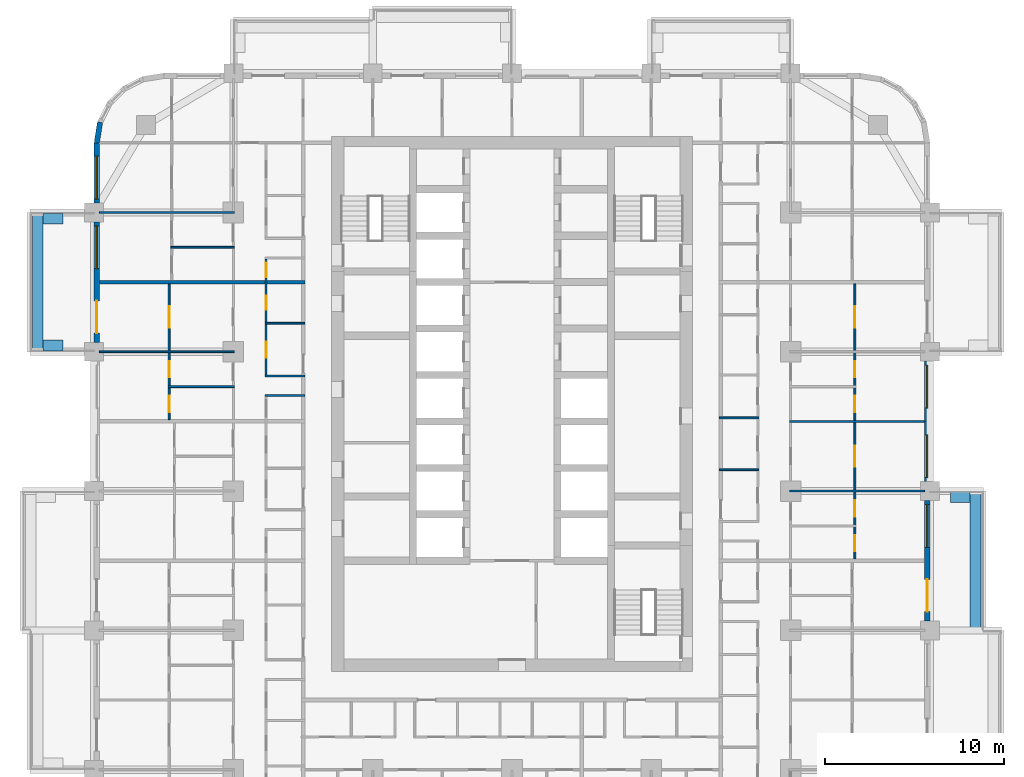
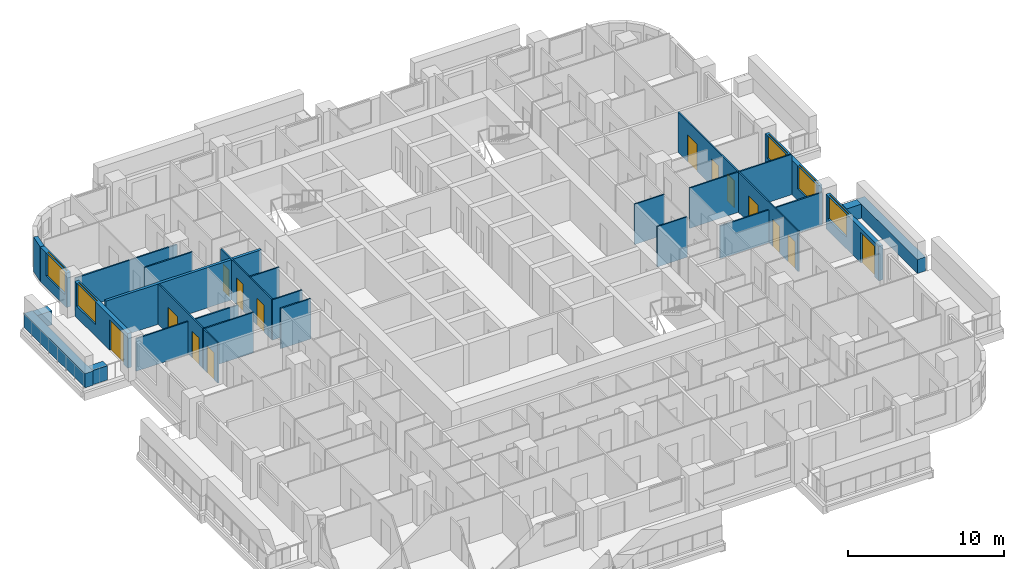
# One storey, part 9 of 17: 25 walls, 14 doors, 5 windows, 19 openings.
"""IFC4 building model written with IfcOpenShell, lengths in metres."""

from ifc_helpers import new_model, si_unit, direction, frame, frame_2d, origin, place, context, subcontext, project, spatial, rectangle, extrude, material, layer, layer_set, type_object, element, fill, save


model = new_model("IFC4")

# Units and contexts
model_context = context("Model", 3, precision=1e-05, world=origin(), true_north=direction((0.0, 1.0)))
body_context = subcontext(model_context, "Body", "Model", "MODEL_VIEW")
ifc_project = project(units=[si_unit("LENGTHUNIT", "METRE"), si_unit("AREAUNIT", "SQUARE_METRE"), si_unit("VOLUMEUNIT", "CUBIC_METRE"), si_unit("PLANEANGLEUNIT", "RADIAN"), si_unit("MASSUNIT", "GRAM", prefix="KILO")], contexts=[model_context])

# Site, building, storey
site_placement = place(None, origin())
site = spatial("IfcSite", under=ifc_project, at=site_placement, CompositionType="ELEMENT")
building_placement = place(site_placement, origin())
building = spatial("IfcBuilding", under=site, at=building_placement, Name="Ludao Terraces", CompositionType="ELEMENT")
storey_placement = place(building_placement, frame((0.0, 0.0, 19.5)))
storey = spatial("IfcBuildingStorey", under=building, at=storey_placement, Name="L04", CompositionType="ELEMENT", Elevation=19.5)

# Walls
ifc_material_1 = material(Name="Concrete C40", Category="concrete")
ifc_layer_1 = layer(ifc_material_1, 0.60009765625)
ifc_layer_set_1 = layer_set([ifc_layer_1], Name="ENV Planter trough 600")
wall_type_1 = type_object("IfcWallType", Name="ENV Planter trough 600", PredefinedType="USERDEFINED", material=ifc_layer_set_1)
wall_1_placement = place(storey_placement, frame((110.949951171875, 57.199951171875, 0.0), z_axis=(0.0, 0.0, 1.0), x_axis=(0.0, 1.0, 0.0)))
element("IfcWall", 1, at=wall_1_placement, inside=storey, type_object=wall_type_1, Name="PL-L04-E2", ObjectType="PLANTER", PredefinedType="USERDEFINED", context=body_context, shape_type="SweptSolid", body=[
    extrude(rectangle(XDim=7.800048828125, YDim=0.60009765625, at=frame_2d((3.89990234375, 0.0))), origin(), (0.0, 0.0, 1.0), 1.10009765625),
])
wall_2_placement = place(storey_placement, frame((110.64990234375, 64.64990234375, 0.0), z_axis=(0.0, 0.0, 1.0), x_axis=(-1.0, 0.0, 0.0)))
element("IfcWall", 2, at=wall_2_placement, inside=storey, type_object=wall_type_1, Name="PL-L04-E2-SB", ObjectType="PLANTER", PredefinedType="USERDEFINED", context=body_context, shape_type="SweptSolid", body=[
    extrude(rectangle(XDim=1.099853515625, YDim=0.60009765625, at=frame_2d((0.5498046875, 0.0))), origin(), (0.0, 0.0, 1.0), 1.10009765625),
])
wall_3_placement = place(storey_placement, frame((58.449951171875, 72.800048828125, 0.0), z_axis=(0.0, 0.0, 1.0), x_axis=(0.0, 1.0, 0.0)))
element("IfcWall", 3, at=wall_3_placement, inside=storey, type_object=wall_type_1, Name="PL-L04-W4", ObjectType="PLANTER", PredefinedType="USERDEFINED", context=body_context, shape_type="SweptSolid", body=[
    extrude(rectangle(XDim=7.800048828125, YDim=0.60009765625, at=frame_2d((3.89990234375, 0.0))), origin(), (0.0, 0.0, 1.0), 1.10009765625),
])
for number, where, z_axis, x_axis, name in (
    (4, (58.75, 73.14990234375, 0.0), (0.0, 0.0, 1.0), (1.0, 0.0, 0.0), "PL-L04-W4-SA"),
    (5, (58.75, 80.25, 0.0), (0.0, 0.0, 1.0), (1.0, 0.0, 0.0), "PL-L04-W4-SB"),
):
    element("IfcWall", number, at=place(storey_placement, frame(where, z_axis=z_axis, x_axis=x_axis)), inside=storey, type_object=wall_type_1, Name=name, ObjectType="PLANTER", PredefinedType="USERDEFINED", context=body_context, shape_type="SweptSolid", body=[
        extrude(rectangle(XDim=1.10009765625, YDim=0.60009765625, at=frame_2d((0.550048828125, 0.0))), origin(), (0.0, 0.0, 1.0), 1.10009765625),
    ])

# Wall, openings, door, window
ifc_material_2 = material(Name="Granite cladding", Category="masonry")
ifc_layer_2 = layer(ifc_material_2, 0.0400390625, Category="stone")
ifc_material_3 = material(Name="Mineral wool")
ifc_layer_3 = layer(ifc_material_3, 0.06005859375)
ifc_layer_4 = layer(ifc_material_1, 0.199951171875, Category="concrete")
ifc_layer_set_2 = layer_set([ifc_layer_2, ifc_layer_3, ifc_layer_4], Name="ENV Stone-clad wall 300")
wall_type_2 = type_object("IfcWallType", Name="ENV Stone-clad wall 300", PredefinedType="SOLIDWALL", material=ifc_layer_set_2)
wall_4_placement = place(storey_placement, frame((108.25, 57.72509765625, 0.0), z_axis=(0.0, 0.0, 1.0), x_axis=(0.0, 1.0, 0.0)))
wall_4 = element("IfcWall", 6, at=wall_4_placement, inside=storey, type_object=wall_type_2, Name="EW-L04-E3", PredefinedType="SOLIDWALL", context=body_context, shape_type="SweptSolid", body=[
    extrude(rectangle(XDim=6.75, YDim=0.300048828125, at=frame_2d((3.375, 0.0))), origin(), (0.0, 0.0, 1.0), 2.699951171875),
])
opening_1_placement = place(wall_4_placement, frame((0.52490234375, 0.0, 0.0)))
opening_1 = element("IfcOpeningElement", 7, at=opening_1_placement, cuts=wall_4, Name="Opening BD", PredefinedType="OPENING", context=body_context, shape_type="SweptSolid", body=[
    extrude(rectangle(XDim=1.800048828125, YDim=2.39990234375, at=frame_2d((0.89990234375, 1.199951171875))), frame((0.0, 0.16015625, 0.0), z_axis=(0.0, -1.0, 0.0), x_axis=(1.0, 0.0, 0.0)), (0.0, 0.0, 1.0), 0.320068359375),
])
opening_2_placement = place(wall_4_placement, frame((4.125, 0.0, 0.89990234375)))
opening_2 = element("IfcOpeningElement", 8, at=opening_2_placement, cuts=wall_4, Name="Opening W1", PredefinedType="OPENING", context=body_context, shape_type="SweptSolid", body=[
    extrude(rectangle(XDim=2.39990234375, YDim=1.800048828125, at=frame_2d((1.199951171875, 0.89990234375))), frame((0.0, 0.16015625, 0.0), z_axis=(0.0, -1.0, 0.0), x_axis=(1.0, 0.0, 0.0)), (0.0, 0.0, 1.0), 0.320068359375),
])
ifc_material_4 = material(Name="Aluminium glazed door", Category="aluminium")
ifc_layer_5 = layer(ifc_material_4, 0.06005859375)
ifc_layer_set_3 = layer_set([ifc_layer_5], Name="ENV Balcony door BD 1800x2400")
door_type_1 = type_object("IfcDoorType", Name="ENV Balcony door BD 1800x2400", OperationType="DOUBLE_DOOR_SINGLE_SWING", PredefinedType="DOOR", material=ifc_layer_set_3)
door_1_placement = place(opening_1_placement, origin())
door_1 = element("IfcDoor", 9, at=door_1_placement, inside=storey, type_object=door_type_1, Name="BD-L04-E3-1", OperationType="DOUBLE_DOOR_SINGLE_SWING", OverallHeight=2.39990234375, OverallWidth=1.800048828125, PredefinedType="DOOR", context=body_context, shape_type="SweptSolid", body=[
    extrude(rectangle(XDim=1.800048828125, YDim=2.39990234375, at=frame_2d((0.89990234375, 1.199951171875))), frame((0.0, 0.02490234375, 0.0), z_axis=(0.0, -1.0, 0.0), x_axis=(1.0, 0.0, 0.0)), (0.0, 0.0, 1.0), 0.050048828125),
])
fill(opening_1, door_1)
ifc_material_5 = material(Name="Clear glass in aluminium frame", Category="aluminium")
ifc_layer_6 = layer(ifc_material_5, 0.06005859375)
ifc_layer_set_4 = layer_set([ifc_layer_6], Name="ENV Window W1 2400x1800")
window_type = type_object("IfcWindowType", Name="ENV Window W1 2400x1800", PartitioningType="DOUBLE_PANEL_VERTICAL", PredefinedType="WINDOW", material=ifc_layer_set_4)
window_1_placement = place(opening_2_placement, origin())
window_1 = element("IfcWindow", 10, at=window_1_placement, inside=storey, type_object=window_type, Name="W-L04-E3-2", OverallHeight=1.800048828125, OverallWidth=2.39990234375, PartitioningType="DOUBLE_PANEL_VERTICAL", PredefinedType="WINDOW", context=body_context, shape_type="SweptSolid", body=[
    extrude(rectangle(XDim=2.39990234375, YDim=1.800048828125, at=frame_2d((1.199951171875, 0.89990234375))), frame((0.0, 0.030029296875, 0.0), z_axis=(0.0, -1.0, 0.0), x_axis=(1.0, 0.0, 0.0)), (0.0, 0.0, 1.0), 0.06005859375),
])
fill(opening_2, window_1)

# Wall, openings, windows
wall_5_placement = place(storey_placement, frame((108.25, 65.52490234375, 0.0), z_axis=(0.0, 0.0, 1.0), x_axis=(0.0, 1.0, 0.0)))
wall_5 = element("IfcWall", 11, at=wall_5_placement, inside=storey, type_object=wall_type_2, Name="EW-L04-E4", PredefinedType="SOLIDWALL", context=body_context, shape_type="SweptSolid", body=[
    extrude(rectangle(XDim=6.75, YDim=0.300048828125, at=frame_2d((3.375, 0.0))), origin(), (0.0, 0.0, 1.0), 2.699951171875),
])
opening_3_placement = place(wall_5_placement, frame((0.22509765625, 0.0, 0.89990234375)))
opening_3 = element("IfcOpeningElement", 12, at=opening_3_placement, cuts=wall_5, Name="Opening W1", PredefinedType="OPENING", context=body_context, shape_type="SweptSolid", body=[
    extrude(rectangle(XDim=2.39990234375, YDim=1.800048828125, at=frame_2d((1.199951171875, 0.89990234375))), frame((0.0, 0.16015625, 0.0), z_axis=(0.0, -1.0, 0.0), x_axis=(1.0, 0.0, 0.0)), (0.0, 0.0, 1.0), 0.320068359375),
])
opening_4_placement = place(wall_5_placement, frame((4.125, 0.0, 0.89990234375)))
opening_4 = element("IfcOpeningElement", 13, at=opening_4_placement, cuts=wall_5, Name="Opening W1", PredefinedType="OPENING", context=body_context, shape_type="SweptSolid", body=[
    extrude(rectangle(XDim=2.39990234375, YDim=1.800048828125, at=frame_2d((1.199951171875, 0.89990234375))), frame((0.0, 0.16015625, 0.0), z_axis=(0.0, -1.0, 0.0), x_axis=(1.0, 0.0, 0.0)), (0.0, 0.0, 1.0), 0.320068359375),
])
window_2_placement = place(opening_3_placement, origin())
window_2 = element("IfcWindow", 14, at=window_2_placement, inside=storey, type_object=window_type, Name="W-L04-E4-1", OverallHeight=1.800048828125, OverallWidth=2.39990234375, PartitioningType="DOUBLE_PANEL_VERTICAL", PredefinedType="WINDOW", context=body_context, shape_type="SweptSolid", body=[
    extrude(rectangle(XDim=2.39990234375, YDim=1.800048828125, at=frame_2d((1.199951171875, 0.89990234375))), frame((0.0, 0.030029296875, 0.0), z_axis=(0.0, -1.0, 0.0), x_axis=(1.0, 0.0, 0.0)), (0.0, 0.0, 1.0), 0.06005859375),
])
fill(opening_3, window_2)
window_3_placement = place(opening_4_placement, origin())
window_3 = element("IfcWindow", 15, at=window_3_placement, inside=storey, type_object=window_type, Name="W-L04-E4-2", OverallHeight=1.800048828125, OverallWidth=2.39990234375, PartitioningType="DOUBLE_PANEL_VERTICAL", PredefinedType="WINDOW", context=body_context, shape_type="SweptSolid", body=[
    extrude(rectangle(XDim=2.39990234375, YDim=1.800048828125, at=frame_2d((1.199951171875, 0.89990234375))), frame((0.0, 0.030029296875, 0.0), z_axis=(0.0, -1.0, 0.0), x_axis=(1.0, 0.0, 0.0)), (0.0, 0.0, 1.0), 0.06005859375),
])
fill(opening_4, window_3)

# Wall, openings, door, window
wall_6_placement = place(storey_placement, frame((61.75, 73.324951171875, 0.0), z_axis=(0.0, 0.0, 1.0), x_axis=(0.0, 1.0, 0.0)))
wall_6 = element("IfcWall", 16, at=wall_6_placement, inside=storey, type_object=wall_type_2, Name="EW-L04-W5", PredefinedType="SOLIDWALL", context=body_context, shape_type="SweptSolid", body=[
    extrude(rectangle(XDim=6.75, YDim=0.300048828125, at=frame_2d((3.375, 0.0))), origin(), (0.0, 0.0, 1.0), 2.699951171875),
])
opening_5_placement = place(wall_6_placement, frame((0.52490234375, 0.0, 0.0)))
opening_5 = element("IfcOpeningElement", 17, at=opening_5_placement, cuts=wall_6, Name="Opening BD", PredefinedType="OPENING", context=body_context, shape_type="SweptSolid", body=[
    extrude(rectangle(XDim=1.800048828125, YDim=2.39990234375, at=frame_2d((0.89990234375, 1.199951171875))), frame((0.0, 0.16015625, 0.0), z_axis=(0.0, -1.0, 0.0), x_axis=(1.0, 0.0, 0.0)), (0.0, 0.0, 1.0), 0.320068359375),
])
opening_6_placement = place(wall_6_placement, frame((4.125, 0.0, 0.89990234375)))
opening_6 = element("IfcOpeningElement", 18, at=opening_6_placement, cuts=wall_6, Name="Opening W1", PredefinedType="OPENING", context=body_context, shape_type="SweptSolid", body=[
    extrude(rectangle(XDim=2.39990234375, YDim=1.800048828125, at=frame_2d((1.199951171875, 0.89990234375))), frame((0.0, 0.16015625, 0.0), z_axis=(0.0, -1.0, 0.0), x_axis=(1.0, 0.0, 0.0)), (0.0, 0.0, 1.0), 0.320068359375),
])
door_2_placement = place(opening_5_placement, origin())
door_2 = element("IfcDoor", 19, at=door_2_placement, inside=storey, type_object=door_type_1, Name="BD-L04-W5-1", OperationType="DOUBLE_DOOR_SINGLE_SWING", OverallHeight=2.39990234375, OverallWidth=1.800048828125, PredefinedType="DOOR", context=body_context, shape_type="SweptSolid", body=[
    extrude(rectangle(XDim=1.800048828125, YDim=2.39990234375, at=frame_2d((0.89990234375, 1.199951171875))), frame((0.0, 0.02490234375, 0.0), z_axis=(0.0, -1.0, 0.0), x_axis=(1.0, 0.0, 0.0)), (0.0, 0.0, 1.0), 0.050048828125),
])
fill(opening_5, door_2)
window_4_placement = place(opening_6_placement, origin())
window_4 = element("IfcWindow", 20, at=window_4_placement, inside=storey, type_object=window_type, Name="W-L04-W5-2", OverallHeight=1.800048828125, OverallWidth=2.39990234375, PartitioningType="DOUBLE_PANEL_VERTICAL", PredefinedType="WINDOW", context=body_context, shape_type="SweptSolid", body=[
    extrude(rectangle(XDim=2.39990234375, YDim=1.800048828125, at=frame_2d((1.199951171875, 0.89990234375))), frame((0.0, 0.030029296875, 0.0), z_axis=(0.0, -1.0, 0.0), x_axis=(1.0, 0.0, 0.0)), (0.0, 0.0, 1.0), 0.06005859375),
])
fill(opening_6, window_4)

# Wall, opening, window
wall_7_placement = place(storey_placement, frame((61.75, 81.125, 0.0), z_axis=(0.0, 0.0, 1.0), x_axis=(0.0, 1.0, 0.0)))
wall_7 = element("IfcWall", 21, at=wall_7_placement, inside=storey, type_object=wall_type_2, Name="EW-L04-W6", PredefinedType="SOLIDWALL", context=body_context, shape_type="SweptSolid", body=[
    extrude(rectangle(XDim=3.375, YDim=0.300048828125, at=frame_2d((1.6875, 0.0))), origin(), (0.0, 0.0, 1.0), 2.699951171875),
])
opening_7_placement = place(wall_7_placement, frame((0.22509765625, 0.0, 0.89990234375)))
opening_7 = element("IfcOpeningElement", 22, at=opening_7_placement, cuts=wall_7, Name="Opening W1", PredefinedType="OPENING", context=body_context, shape_type="SweptSolid", body=[
    extrude(rectangle(XDim=2.39990234375, YDim=1.800048828125, at=frame_2d((1.199951171875, 0.89990234375))), frame((0.0, 0.16015625, 0.0), z_axis=(0.0, -1.0, 0.0), x_axis=(1.0, 0.0, 0.0)), (0.0, 0.0, 1.0), 0.320068359375),
])
window_5_placement = place(opening_7_placement, origin())
window_5 = element("IfcWindow", 23, at=window_5_placement, inside=storey, type_object=window_type, Name="W-L04-W6-1", OverallHeight=1.800048828125, OverallWidth=2.39990234375, PartitioningType="DOUBLE_PANEL_VERTICAL", PredefinedType="WINDOW", context=body_context, shape_type="SweptSolid", body=[
    extrude(rectangle(XDim=2.39990234375, YDim=1.800048828125, at=frame_2d((1.199951171875, 0.89990234375))), frame((0.0, 0.030029296875, 0.0), z_axis=(0.0, -1.0, 0.0), x_axis=(1.0, 0.0, 0.0)), (0.0, 0.0, 1.0), 0.06005859375),
])
fill(opening_7, window_5)

# Walls
wall_8_placement = place(storey_placement, frame((61.93359375, 85.65869140625, 0.0), z_axis=(0.0, 0.0, 1.0), x_axis=(-0.156496880861, -0.987678452879, 0.0)))
element("IfcWall", 24, at=wall_8_placement, inside=storey, type_object=wall_type_2, Name="EW-L04-NW5", PredefinedType="SOLIDWALL", context=body_context, shape_type="SweptSolid", body=[
    extrude(rectangle(XDim=1.173095703125, YDim=0.300048828125, at=frame_2d((0.58642578125, 0.0))), origin(), (0.0, 0.0, 1.0), 2.699951171875),
])
ifc_material_6 = material(Name="Gypsum plasterboard", Category="gypsum")
ifc_layer_7 = layer(ifc_material_6, 0.012451171875, Category="gypsum")
ifc_layer_8 = layer(ifc_material_3, 0.06005859375, Name="insulation")
ifc_material_7 = material(Name="Steel Q235", Category="steel")
ifc_layer_9 = layer(ifc_material_7, 0.014892578125, Name="stud")
ifc_layer_10 = layer(ifc_material_6, 0.012451171875, Category="gypsum")
ifc_layer_set_5 = layer_set([ifc_layer_7, ifc_layer_8, ifc_layer_9, ifc_layer_10], Name="INT Partition 100")
wall_type_3 = type_object("IfcWallType", Name="INT Partition 100", PredefinedType="PARTITIONING", material=ifc_layer_set_5)
wall_9_placement = place(storey_placement, frame((100.550048828125, 65.0, 0.0), z_axis=(0.0, 0.0, 1.0), x_axis=(1.0, 0.0, 0.0)))
element("IfcWall", 25, at=wall_9_placement, inside=storey, type_object=wall_type_3, Name="PW-L04-PW040", PredefinedType="PARTITIONING", context=body_context, shape_type="SweptSolid", body=[
    extrude(rectangle(XDim=7.550048828125, YDim=0.10009765625, at=frame_2d((3.77490234375, 0.0))), origin(), (0.0, 0.0, 1.0), 2.550048828125),
])
wall_10_placement = place(storey_placement, frame((96.60009765625, 66.199951171875, 0.0), z_axis=(0.0, 0.0, 1.0), x_axis=(1.0, 0.0, 0.0)))
element("IfcWall", 26, at=wall_10_placement, inside=storey, type_object=wall_type_3, Name="PW-L04-PW041", PredefinedType="PARTITIONING", context=body_context, shape_type="SweptSolid", body=[
    extrude(rectangle(XDim=2.219970703125, YDim=0.10009765625, at=frame_2d((1.10986328125, 0.0))), origin(), (0.0, 0.0, 1.0), 3.14990234375),
])
wall_11_placement = place(storey_placement, frame((100.550048828125, 68.89990234375, 0.0), z_axis=(0.0, 0.0, 1.0), x_axis=(1.0, 0.0, 0.0)))
element("IfcWall", 27, at=wall_11_placement, inside=storey, type_object=wall_type_3, Name="PW-L04-PW046", PredefinedType="PARTITIONING", context=body_context, shape_type="SweptSolid", body=[
    extrude(rectangle(XDim=7.550048828125, YDim=0.10009765625, at=frame_2d((3.77490234375, 0.0))), origin(), (0.0, 0.0, 1.0), 3.14990234375),
])
for number, where, z_axis, x_axis, name in (
    (28, (96.60009765625, 69.10009765625, 0.0), (0.0, 0.0, 1.0), (1.0, 0.0, 0.0), "PW-L04-PW047"),
    (29, (71.18017578125, 70.35009765625, 0.0), (0.0, 0.0, 1.0), (1.0, 0.0, 0.0), "PW-L04-PW048"),
):
    element("IfcWall", number, at=place(storey_placement, frame(where, z_axis=z_axis, x_axis=x_axis)), inside=storey, type_object=wall_type_3, Name=name, PredefinedType="PARTITIONING", context=body_context, shape_type="SweptSolid", body=[
        extrude(rectangle(XDim=2.219970703125, YDim=0.10009765625, at=frame_2d((1.10986328125, 0.0))), origin(), (0.0, 0.0, 1.0), 3.14990234375),
    ])
wall_12_placement = place(storey_placement, frame((65.75, 70.85009765625, 0.0), z_axis=(0.0, 0.0, 1.0), x_axis=(1.0, 0.0, 0.0)))
element("IfcWall", 30, at=wall_12_placement, inside=storey, type_object=wall_type_3, Name="PW-L04-PW049", PredefinedType="PARTITIONING", context=body_context, shape_type="SweptSolid", body=[
    extrude(rectangle(XDim=3.7001953125, YDim=0.10009765625, at=frame_2d((1.85009765625, 0.0))), origin(), (0.0, 0.0, 1.0), 3.14990234375),
])
wall_13_placement = place(storey_placement, frame((71.18017578125, 71.449951171875, 0.0), z_axis=(0.0, 0.0, 1.0), x_axis=(1.0, 0.0, 0.0)))
element("IfcWall", 31, at=wall_13_placement, inside=storey, type_object=wall_type_3, Name="PW-L04-PW051", PredefinedType="PARTITIONING", context=body_context, shape_type="SweptSolid", body=[
    extrude(rectangle(XDim=2.219970703125, YDim=0.10009765625, at=frame_2d((1.10986328125, 0.0))), origin(), (0.0, 0.0, 1.0), 3.14990234375),
])
wall_14_placement = place(storey_placement, frame((61.900146484375, 72.800048828125, 0.0), z_axis=(0.0, 0.0, 1.0), x_axis=(1.0, 0.0, 0.0)))
element("IfcWall", 32, at=wall_14_placement, inside=storey, type_object=wall_type_3, Name="PW-L04-PW053", PredefinedType="PARTITIONING", context=body_context, shape_type="SweptSolid", body=[
    extrude(rectangle(XDim=7.550048828125, YDim=0.10009765625, at=frame_2d((3.77490234375, 0.0))), origin(), (0.0, 0.0, 1.0), 2.550048828125),
])
wall_15_placement = place(storey_placement, frame((71.18017578125, 74.39990234375, 0.0), z_axis=(0.0, 0.0, 1.0), x_axis=(1.0, 0.0, 0.0)))
element("IfcWall", 33, at=wall_15_placement, inside=storey, type_object=wall_type_3, Name="PW-L04-PW055", PredefinedType="PARTITIONING", context=body_context, shape_type="SweptSolid", body=[
    extrude(rectangle(XDim=2.219970703125, YDim=0.10009765625, at=frame_2d((1.10986328125, 0.0))), origin(), (0.0, 0.0, 1.0), 3.14990234375),
])
wall_16_placement = place(storey_placement, frame((65.900146484375, 78.64990234375, 0.0), z_axis=(0.0, 0.0, 1.0), x_axis=(1.0, 0.0, 0.0)))
element("IfcWall", 34, at=wall_16_placement, inside=storey, type_object=wall_type_3, Name="PW-L04-PW061", PredefinedType="PARTITIONING", context=body_context, shape_type="SweptSolid", body=[
    extrude(rectangle(XDim=3.550048828125, YDim=0.10009765625, at=frame_2d((1.77490234375, 0.0))), origin(), (0.0, 0.0, 1.0), 3.14990234375),
])
wall_17_placement = place(storey_placement, frame((61.900146484375, 80.60009765625, 0.0), z_axis=(0.0, 0.0, 1.0), x_axis=(1.0, 0.0, 0.0)))
element("IfcWall", 35, at=wall_17_placement, inside=storey, type_object=wall_type_3, Name="PW-L04-PW064", PredefinedType="PARTITIONING", context=body_context, shape_type="SweptSolid", body=[
    extrude(rectangle(XDim=7.550048828125, YDim=0.10009765625, at=frame_2d((3.77490234375, 0.0))), origin(), (0.0, 0.0, 1.0), 2.550048828125),
])

# Wall, openings, doors
wall_18_placement = place(storey_placement, frame((65.800048828125, 69.0, 0.0), z_axis=(0.0, 0.0, 1.0), x_axis=(0.0, 1.0, 0.0)))
wall_18 = element("IfcWall", 36, at=wall_18_placement, inside=storey, type_object=wall_type_3, Name="PW-L04-PW074", PredefinedType="PARTITIONING", context=body_context, shape_type="SweptSolid", body=[
    extrude(rectangle(XDim=7.60009765625, YDim=0.10009765625, at=frame_2d((3.800048828125, 0.0))), origin(), (0.0, 0.0, 1.0), 3.14990234375),
])
opening_8_placement = place(wall_18_placement, frame((0.425048828125, 0.0, 0.0)))
opening_8 = element("IfcOpeningElement", 37, at=opening_8_placement, cuts=wall_18, Name="Opening R01-097", PredefinedType="OPENING", context=body_context, shape_type="SweptSolid", body=[
    extrude(rectangle(XDim=0.89990234375, YDim=2.10009765625, at=frame_2d((0.449951171875, 1.050048828125))), frame((0.0, 0.06005859375, 0.0), z_axis=(0.0, -1.0, 0.0), x_axis=(1.0, 0.0, 0.0)), (0.0, 0.0, 1.0), 0.1201171875),
])
opening_9_placement = place(wall_18_placement, frame((2.375, 0.0, 0.0)))
opening_9 = element("IfcOpeningElement", 38, at=opening_9_placement, cuts=wall_18, Name="Opening R01-104", PredefinedType="OPENING", context=body_context, shape_type="SweptSolid", body=[
    extrude(rectangle(XDim=0.89990234375, YDim=2.10009765625, at=frame_2d((0.449951171875, 1.050048828125))), frame((0.0, 0.06005859375, 0.0), z_axis=(0.0, -1.0, 0.0), x_axis=(1.0, 0.0, 0.0)), (0.0, 0.0, 1.0), 0.1201171875),
])
opening_10_placement = place(wall_18_placement, frame((5.150146484375, 0.0, 0.0)))
opening_10 = element("IfcOpeningElement", 39, at=opening_10_placement, cuts=wall_18, Name="Opening R01-111", PredefinedType="OPENING", context=body_context, shape_type="SweptSolid", body=[
    extrude(rectangle(XDim=1.199951171875, YDim=2.10009765625, at=frame_2d((0.60009765625, 1.050048828125))), frame((0.0, 0.06005859375, 0.0), z_axis=(0.0, -1.0, 0.0), x_axis=(1.0, 0.0, 0.0)), (0.0, 0.0, 1.0), 0.1201171875),
])
ifc_material_8 = material(Name="Timber door leaf", Category="wood")
door_type_2 = type_object("IfcDoorType", Name="INT Bathroom door 900", OperationType="SINGLE_SWING_LEFT", PredefinedType="DOOR", material=ifc_material_8)
door_3_placement = place(opening_8_placement, origin())
door_3 = element("IfcDoor", 40, at=door_3_placement, inside=storey, type_object=door_type_2, Name="DOOR 097", OperationType="SINGLE_SWING_RIGHT", OverallHeight=2.10009765625, OverallWidth=0.89990234375, PredefinedType="DOOR", context=body_context, shape_type="SweptSolid", body=[
    extrude(rectangle(XDim=0.89990234375, YDim=2.10009765625, at=frame_2d((0.449951171875, 1.050048828125))), frame((0.0, 0.02490234375, 0.0), z_axis=(0.0, -1.0, 0.0), x_axis=(1.0, 0.0, 0.0)), (0.0, 0.0, 1.0), 0.050048828125),
])
fill(opening_8, door_3)
door_type_3 = type_object("IfcDoorType", Name="INT Double door 1200", OperationType="DOUBLE_DOOR_SINGLE_SWING", PredefinedType="DOOR", material=ifc_material_8)
door_4_placement = place(opening_10_placement, origin())
door_4 = element("IfcDoor", 41, at=door_4_placement, inside=storey, type_object=door_type_3, Name="DOOR 111", OperationType="DOUBLE_DOOR_SINGLE_SWING", OverallHeight=2.10009765625, OverallWidth=1.199951171875, PredefinedType="DOOR", context=body_context, shape_type="SweptSolid", body=[
    extrude(rectangle(XDim=1.199951171875, YDim=2.10009765625, at=frame_2d((0.60009765625, 1.050048828125))), frame((0.0, 0.02490234375, 0.0), z_axis=(0.0, -1.0, 0.0), x_axis=(1.0, 0.0, 0.0)), (0.0, 0.0, 1.0), 0.050048828125),
])
fill(opening_10, door_4)
door_type_4 = type_object("IfcDoorType", Name="INT Room door 900", OperationType="SINGLE_SWING_LEFT", PredefinedType="DOOR", material=ifc_material_8)
door_5_placement = place(opening_9_placement, origin())
door_5 = element("IfcDoor", 42, at=door_5_placement, inside=storey, type_object=door_type_4, Name="DOOR 104", OperationType="SINGLE_SWING_LEFT", OverallHeight=2.10009765625, OverallWidth=0.89990234375, PredefinedType="DOOR", context=body_context, shape_type="SweptSolid", body=[
    extrude(rectangle(XDim=0.89990234375, YDim=2.10009765625, at=frame_2d((0.449951171875, 1.050048828125))), frame((0.0, 0.02490234375, 0.0), z_axis=(0.0, -1.0, 0.0), x_axis=(1.0, 0.0, 0.0)), (0.0, 0.0, 1.0), 0.050048828125),
])
fill(opening_9, door_5)

wall_19_placement = place(storey_placement, frame((71.22998046875, 71.5, 0.0), z_axis=(0.0, 0.0, 1.0), x_axis=(0.0, 1.0, 0.0)))
wall_19 = element("IfcWall", 43, at=wall_19_placement, inside=storey, type_object=wall_type_3, Name="PW-L04-PW081", PredefinedType="PARTITIONING", context=body_context, shape_type="SweptSolid", body=[
    extrude(rectangle(XDim=6.5, YDim=0.10009765625, at=frame_2d((3.25, 0.0))), origin(), (0.0, 0.0, 1.0), 3.14990234375),
])
opening_11_placement = place(wall_19_placement, frame((0.97509765625, 0.0, 0.0)))
opening_11 = element("IfcOpeningElement", 44, at=opening_11_placement, cuts=wall_19, Name="Opening R01-109", PredefinedType="OPENING", context=body_context, shape_type="SweptSolid", body=[
    extrude(rectangle(XDim=0.89990234375, YDim=2.10009765625, at=frame_2d((0.449951171875, 1.050048828125))), frame((0.0, 0.06005859375, 0.0), z_axis=(0.0, -1.0, 0.0), x_axis=(1.0, 0.0, 0.0)), (0.0, 0.0, 1.0), 0.1201171875),
])
opening_12_placement = place(wall_19_placement, frame((3.650146484375, 0.0, 0.0)))
opening_12 = element("IfcOpeningElement", 45, at=opening_12_placement, cuts=wall_19, Name="Opening R01-119", PredefinedType="OPENING", context=body_context, shape_type="SweptSolid", body=[
    extrude(rectangle(XDim=0.800048828125, YDim=2.10009765625, at=frame_2d((0.39990234375, 1.050048828125))), frame((0.0, 0.06005859375, 0.0), z_axis=(0.0, -1.0, 0.0), x_axis=(1.0, 0.0, 0.0)), (0.0, 0.0, 1.0), 0.1201171875),
])
opening_13_placement = place(wall_19_placement, frame((5.47509765625, 0.0, 0.0)))
opening_13 = element("IfcOpeningElement", 46, at=opening_13_placement, cuts=wall_19, Name="Opening R01-122", PredefinedType="OPENING", context=body_context, shape_type="SweptSolid", body=[
    extrude(rectangle(XDim=0.800048828125, YDim=2.10009765625, at=frame_2d((0.39990234375, 1.050048828125))), frame((0.0, 0.06005859375, 0.0), z_axis=(0.0, -1.0, 0.0), x_axis=(1.0, 0.0, 0.0)), (0.0, 0.0, 1.0), 0.1201171875),
])
door_6_placement = place(opening_11_placement, origin())
door_6 = element("IfcDoor", 47, at=door_6_placement, inside=storey, type_object=door_type_4, Name="DOOR 109", OperationType="SINGLE_SWING_LEFT", OverallHeight=2.10009765625, OverallWidth=0.89990234375, PredefinedType="DOOR", context=body_context, shape_type="SweptSolid", body=[
    extrude(rectangle(XDim=0.89990234375, YDim=2.10009765625, at=frame_2d((0.449951171875, 1.050048828125))), frame((0.0, 0.02490234375, 0.0), z_axis=(0.0, -1.0, 0.0), x_axis=(1.0, 0.0, 0.0)), (0.0, 0.0, 1.0), 0.050048828125),
])
fill(opening_11, door_6)
door_type_5 = type_object("IfcDoorType", Name="INT Store door 800", OperationType="SINGLE_SWING_LEFT", PredefinedType="DOOR", material=ifc_material_8)
door_7_placement = place(opening_12_placement, origin())
door_7 = element("IfcDoor", 48, at=door_7_placement, inside=storey, type_object=door_type_5, Name="DOOR 119", OperationType="SINGLE_SWING_LEFT", OverallHeight=2.10009765625, OverallWidth=0.800048828125, PredefinedType="DOOR", context=body_context, shape_type="SweptSolid", body=[
    extrude(rectangle(XDim=0.800048828125, YDim=2.10009765625, at=frame_2d((0.39990234375, 1.050048828125))), frame((0.0, 0.02490234375, 0.0), z_axis=(0.0, -1.0, 0.0), x_axis=(1.0, 0.0, 0.0)), (0.0, 0.0, 1.0), 0.050048828125),
])
fill(opening_12, door_7)
door_8_placement = place(opening_13_placement, origin())
door_8 = element("IfcDoor", 49, at=door_8_placement, inside=storey, type_object=door_type_5, Name="DOOR 122", OperationType="SINGLE_SWING_RIGHT", OverallHeight=2.10009765625, OverallWidth=0.800048828125, PredefinedType="DOOR", context=body_context, shape_type="SweptSolid", body=[
    extrude(rectangle(XDim=0.800048828125, YDim=2.10009765625, at=frame_2d((0.39990234375, 1.050048828125))), frame((0.0, 0.02490234375, 0.0), z_axis=(0.0, -1.0, 0.0), x_axis=(1.0, 0.0, 0.0)), (0.0, 0.0, 1.0), 0.050048828125),
])
fill(opening_13, door_8)

wall_20_placement = place(storey_placement, frame((104.199951171875, 61.2001953125, 0.0), z_axis=(0.0, 0.0, 1.0), x_axis=(0.0, 1.0, 0.0)))
wall_20 = element("IfcWall", 50, at=wall_20_placement, inside=storey, type_object=wall_type_3, Name="PW-L04-PW119", PredefinedType="PARTITIONING", context=body_context, shape_type="SweptSolid", body=[
    extrude(rectangle(XDim=15.39990234375, YDim=0.10009765625, at=frame_2d((7.699951171875, 0.0))), origin(), (0.0, 0.0, 1.0), 3.14990234375),
])
opening_14_placement = place(wall_20_placement, frame((0.4248046875, 0.0, 0.0)))
opening_14 = element("IfcOpeningElement", 51, at=opening_14_placement, cuts=wall_20, Name="Opening R01-073", PredefinedType="OPENING", context=body_context, shape_type="SweptSolid", body=[
    extrude(rectangle(XDim=0.89990234375, YDim=2.10009765625, at=frame_2d((0.449951171875, 1.050048828125))), frame((0.0, 0.06005859375, 0.0), z_axis=(0.0, -1.0, 0.0), x_axis=(1.0, 0.0, 0.0)), (0.0, 0.0, 1.0), 0.1201171875),
])
opening_15_placement = place(wall_20_placement, frame((2.375, 0.0, 0.0)))
opening_15 = element("IfcOpeningElement", 52, at=opening_15_placement, cuts=wall_20, Name="Opening R01-081", PredefinedType="OPENING", context=body_context, shape_type="SweptSolid", body=[
    extrude(rectangle(XDim=0.89990234375, YDim=2.10009765625, at=frame_2d((0.449951171875, 1.050048828125))), frame((0.0, 0.06005859375, 0.0), z_axis=(0.0, -1.0, 0.0), x_axis=(1.0, 0.0, 0.0)), (0.0, 0.0, 1.0), 0.1201171875),
])
opening_16_placement = place(wall_20_placement, frame((5.14990234375, 0.0, 0.0)))
opening_16 = element("IfcOpeningElement", 53, at=opening_16_placement, cuts=wall_20, Name="Opening R01-089", PredefinedType="OPENING", context=body_context, shape_type="SweptSolid", body=[
    extrude(rectangle(XDim=1.199951171875, YDim=2.10009765625, at=frame_2d((0.60009765625, 1.050048828125))), frame((0.0, 0.06005859375, 0.0), z_axis=(0.0, -1.0, 0.0), x_axis=(1.0, 0.0, 0.0)), (0.0, 0.0, 1.0), 0.1201171875),
])
opening_17_placement = place(wall_20_placement, frame((8.224853515625, 0.0, 0.0)))
opening_17 = element("IfcOpeningElement", 54, at=opening_17_placement, cuts=wall_20, Name="Opening R01-098", PredefinedType="OPENING", context=body_context, shape_type="SweptSolid", body=[
    extrude(rectangle(XDim=0.89990234375, YDim=2.10009765625, at=frame_2d((0.449951171875, 1.050048828125))), frame((0.0, 0.06005859375, 0.0), z_axis=(0.0, -1.0, 0.0), x_axis=(1.0, 0.0, 0.0)), (0.0, 0.0, 1.0), 0.1201171875),
])
opening_18_placement = place(wall_20_placement, frame((10.1748046875, 0.0, 0.0)))
opening_18 = element("IfcOpeningElement", 55, at=opening_18_placement, cuts=wall_20, Name="Opening R01-105", PredefinedType="OPENING", context=body_context, shape_type="SweptSolid", body=[
    extrude(rectangle(XDim=0.89990234375, YDim=2.10009765625, at=frame_2d((0.449951171875, 1.050048828125))), frame((0.0, 0.06005859375, 0.0), z_axis=(0.0, -1.0, 0.0), x_axis=(1.0, 0.0, 0.0)), (0.0, 0.0, 1.0), 0.1201171875),
])
opening_19_placement = place(wall_20_placement, frame((12.949951171875, 0.0, 0.0)))
opening_19 = element("IfcOpeningElement", 56, at=opening_19_placement, cuts=wall_20, Name="Opening R01-114", PredefinedType="OPENING", context=body_context, shape_type="SweptSolid", body=[
    extrude(rectangle(XDim=1.199951171875, YDim=2.10009765625, at=frame_2d((0.60009765625, 1.050048828125))), frame((0.0, 0.06005859375, 0.0), z_axis=(0.0, -1.0, 0.0), x_axis=(1.0, 0.0, 0.0)), (0.0, 0.0, 1.0), 0.1201171875),
])
door_9_placement = place(opening_14_placement, origin())
door_9 = element("IfcDoor", 57, at=door_9_placement, inside=storey, type_object=door_type_2, Name="DOOR 073", OperationType="SINGLE_SWING_LEFT", OverallHeight=2.10009765625, OverallWidth=0.89990234375, PredefinedType="DOOR", context=body_context, shape_type="SweptSolid", body=[
    extrude(rectangle(XDim=0.89990234375, YDim=2.10009765625, at=frame_2d((0.449951171875, 1.050048828125))), frame((0.0, 0.02490234375, 0.0), z_axis=(0.0, -1.0, 0.0), x_axis=(1.0, 0.0, 0.0)), (0.0, 0.0, 1.0), 0.050048828125),
])
fill(opening_14, door_9)
door_10_placement = place(opening_17_placement, origin())
door_10 = element("IfcDoor", 58, at=door_10_placement, inside=storey, type_object=door_type_2, Name="DOOR 098", OperationType="SINGLE_SWING_LEFT", OverallHeight=2.10009765625, OverallWidth=0.89990234375, PredefinedType="DOOR", context=body_context, shape_type="SweptSolid", body=[
    extrude(rectangle(XDim=0.89990234375, YDim=2.10009765625, at=frame_2d((0.449951171875, 1.050048828125))), frame((0.0, 0.02490234375, 0.0), z_axis=(0.0, -1.0, 0.0), x_axis=(1.0, 0.0, 0.0)), (0.0, 0.0, 1.0), 0.050048828125),
])
fill(opening_17, door_10)
door_11_placement = place(opening_16_placement, origin())
door_11 = element("IfcDoor", 59, at=door_11_placement, inside=storey, type_object=door_type_3, Name="DOOR 089", OperationType="DOUBLE_DOOR_SINGLE_SWING", OverallHeight=2.10009765625, OverallWidth=1.199951171875, PredefinedType="DOOR", context=body_context, shape_type="SweptSolid", body=[
    extrude(rectangle(XDim=1.199951171875, YDim=2.10009765625, at=frame_2d((0.60009765625, 1.050048828125))), frame((0.0, 0.02490234375, 0.0), z_axis=(0.0, -1.0, 0.0), x_axis=(1.0, 0.0, 0.0)), (0.0, 0.0, 1.0), 0.050048828125),
])
fill(opening_16, door_11)
door_12_placement = place(opening_19_placement, origin())
door_12 = element("IfcDoor", 60, at=door_12_placement, inside=storey, type_object=door_type_3, Name="DOOR 114", OperationType="DOUBLE_DOOR_SINGLE_SWING", OverallHeight=2.10009765625, OverallWidth=1.199951171875, PredefinedType="DOOR", context=body_context, shape_type="SweptSolid", body=[
    extrude(rectangle(XDim=1.199951171875, YDim=2.10009765625, at=frame_2d((0.60009765625, 1.050048828125))), frame((0.0, 0.02490234375, 0.0), z_axis=(0.0, -1.0, 0.0), x_axis=(1.0, 0.0, 0.0)), (0.0, 0.0, 1.0), 0.050048828125),
])
fill(opening_19, door_12)
door_13_placement = place(opening_15_placement, origin())
door_13 = element("IfcDoor", 61, at=door_13_placement, inside=storey, type_object=door_type_4, Name="DOOR 081", OperationType="SINGLE_SWING_LEFT", OverallHeight=2.10009765625, OverallWidth=0.89990234375, PredefinedType="DOOR", context=body_context, shape_type="SweptSolid", body=[
    extrude(rectangle(XDim=0.89990234375, YDim=2.10009765625, at=frame_2d((0.449951171875, 1.050048828125))), frame((0.0, 0.02490234375, 0.0), z_axis=(0.0, -1.0, 0.0), x_axis=(1.0, 0.0, 0.0)), (0.0, 0.0, 1.0), 0.050048828125),
])
fill(opening_15, door_13)
door_14_placement = place(opening_18_placement, origin())
door_14 = element("IfcDoor", 62, at=door_14_placement, inside=storey, type_object=door_type_4, Name="DOOR 105", OperationType="SINGLE_SWING_RIGHT", OverallHeight=2.10009765625, OverallWidth=0.89990234375, PredefinedType="DOOR", context=body_context, shape_type="SweptSolid", body=[
    extrude(rectangle(XDim=0.89990234375, YDim=2.10009765625, at=frame_2d((0.449951171875, 1.050048828125))), frame((0.0, 0.02490234375, 0.0), z_axis=(0.0, -1.0, 0.0), x_axis=(1.0, 0.0, 0.0)), (0.0, 0.0, 1.0), 0.050048828125),
])
fill(opening_18, door_14)

# Wall
ifc_material_9 = material(Name="Autoclaved aerated concrete block B06 A3.5", Category="concrete")
ifc_layer_11 = layer(ifc_material_9, 0.199951171875)
ifc_layer_set_6 = layer_set([ifc_layer_11], Name="INT Party wall 200")
wall_type_4 = type_object("IfcWallType", Name="INT Party wall 200", PredefinedType="PARTITIONING", material=ifc_layer_set_6)
wall_21_placement = place(storey_placement, frame((61.900146484375, 76.699951171875, 0.0), z_axis=(0.0, 0.0, 1.0), x_axis=(1.0, 0.0, 0.0)))
element("IfcWall", 63, at=wall_21_placement, inside=storey, type_object=wall_type_4, Name="PW-L04-PW057", PredefinedType="PARTITIONING", context=body_context, shape_type="SweptSolid", body=[
    extrude(rectangle(XDim=11.5, YDim=0.199951171875, at=frame_2d((5.75, 0.0))), origin(), (0.0, 0.0, 1.0), 3.14990234375),
])

save(model, "model.ifc")
